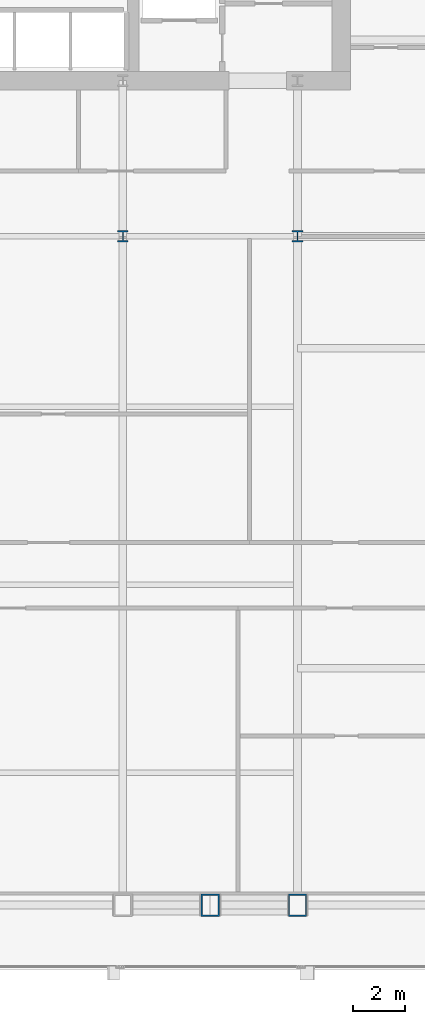
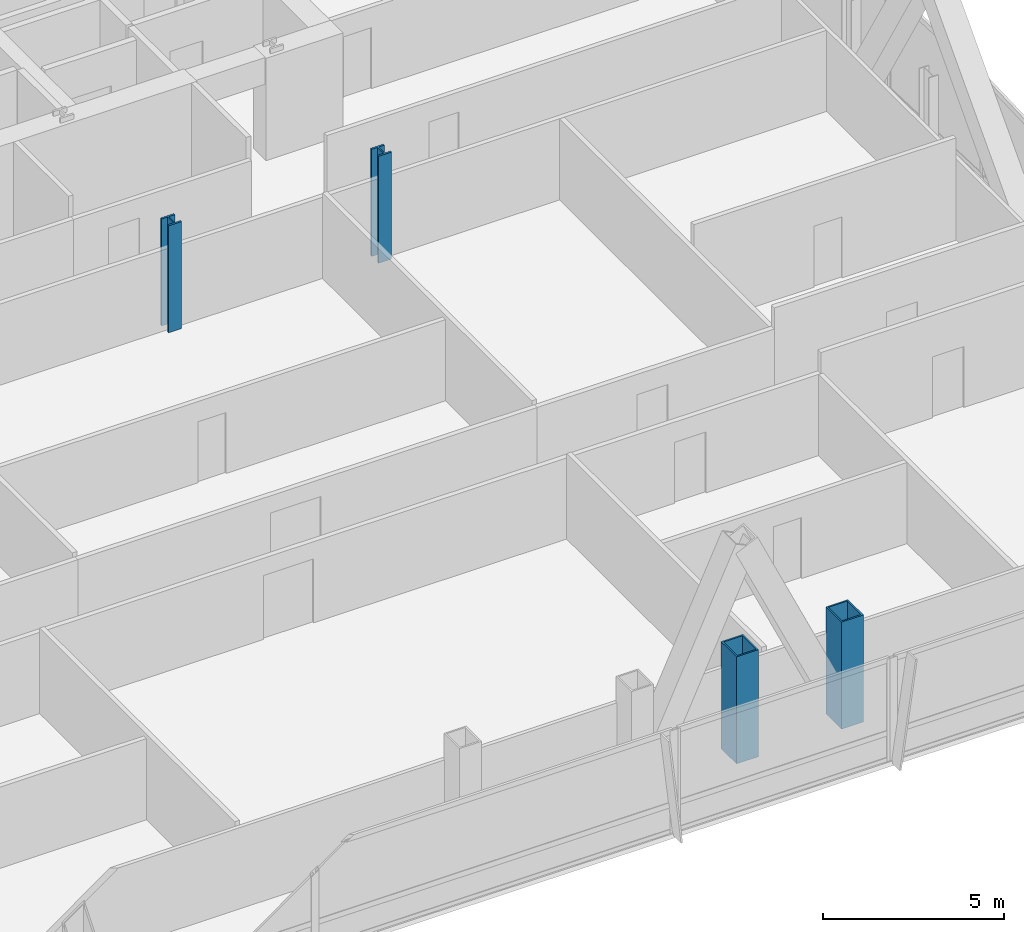
# One storey, part 2 of 31: 4 columns.
"""IFC4 building model written with IfcOpenShell, lengths in metres."""

from ifc_helpers import new_model, si_unit, direction, frame, origin, origin_2d, place, context, subcontext, project, spatial, hollow_rectangle, i_section, extrude, material, material_profile, profile_set, type_object, element, save


model = new_model("IFC4")

# Units and contexts
model_context = context("Model", 3, precision=1e-05, world=origin(), true_north=direction((0.0, 1.0)))
body_context = subcontext(model_context, "Body", "Model", "MODEL_VIEW")
ifc_project = project(units=[si_unit("LENGTHUNIT", "METRE"), si_unit("AREAUNIT", "SQUARE_METRE"), si_unit("VOLUMEUNIT", "CUBIC_METRE"), si_unit("PLANEANGLEUNIT", "RADIAN"), si_unit("MASSUNIT", "GRAM", prefix="KILO")], contexts=[model_context])

# Site, building, storey
site_placement = place(None, origin())
site = spatial("IfcSite", under=ifc_project, at=site_placement, CompositionType="ELEMENT")
building_placement = place(site_placement, origin())
building = spatial("IfcBuilding", under=site, at=building_placement, Name="Khoronbel Lancet Exchange", CompositionType="ELEMENT")
storey_placement = place(building_placement, frame((0.0, 0.0, 129.0)))
storey = spatial("IfcBuildingStorey", under=building, at=storey_placement, Name="L31", CompositionType="ELEMENT", Elevation=129.0)

# Columns
ifc_material = material(Name="Steel S460", Category="steel")
ifc_material_profile_1 = material_profile(ifc_material, hollow_rectangle(XDim=0.699951171875, YDim=0.85009765625, WallThickness=0.050048828125, at=origin_2d()), Name="BOX 850x700x50")
ifc_profile_set_1 = profile_set([ifc_material_profile_1], Name="Steel S460")
column_type_1 = type_object("IfcColumnType", Name="COL-EC2", PredefinedType="COLUMN", material=ifc_profile_set_1)
for number, where, z_axis, x_axis, name in (
    (1, (51.33740234375, 10.14990234375, 0.0), (0.0, 0.0, 1.0), (1.0, 0.0, 0.0), "Structural column SC-EM L31"),
    (2, (54.675048828125, 10.14990234375, 0.0), (0.0, 0.0, 1.0), (1.0, 0.0, 0.0), "Structural column SC-E2 L31"),
):
    element("IfcColumn", number, at=place(storey_placement, frame(where, z_axis=z_axis, x_axis=x_axis)), inside=storey, type_object=column_type_1, Name=name, PredefinedType="COLUMN", context=body_context, shape_type="SweptSolid", body=[
        extrude(hollow_rectangle(XDim=0.699951171875, YDim=0.85009765625, WallThickness=0.050048828125, at=origin_2d()), origin(), (0.0, 0.0, 1.0), 3.60009765625),
    ])
ifc_material_profile_2 = material_profile(ifc_material, i_section(OverallWidth=0.416015625, OverallDepth=0.446044921875, WebThickness=0.0390625, FlangeThickness=0.062744140625, at=origin_2d()), Name="HD 400x509")
ifc_profile_set_2 = profile_set([ifc_material_profile_2], Name="Steel S460")
column_type_2 = type_object("IfcColumnType", Name="COL-IC2", PredefinedType="COLUMN", material=ifc_profile_set_2)
for number, where, z_axis, x_axis, name in (
    (3, (48.0, 35.699951171875, 0.0), (0.0, 0.0, 1.0), (1.0, 0.0, 0.0), "Spine gravity column TC3 L31"),
    (4, (54.675048828125, 35.699951171875, 0.0), (0.0, 0.0, 1.0), (1.0, 0.0, 0.0), "Spine gravity column TC4 L31"),
):
    element("IfcColumn", number, at=place(storey_placement, frame(where, z_axis=z_axis, x_axis=x_axis)), inside=storey, type_object=column_type_2, Name=name, PredefinedType="COLUMN", context=body_context, shape_type="SweptSolid", body=[
        extrude(i_section(OverallWidth=0.416015625, OverallDepth=0.446044921875, WebThickness=0.0390625, FlangeThickness=0.062744140625, at=origin_2d()), origin(), (0.0, 0.0, 1.0), 3.60009765625),
    ])

save(model, "model.ifc")
